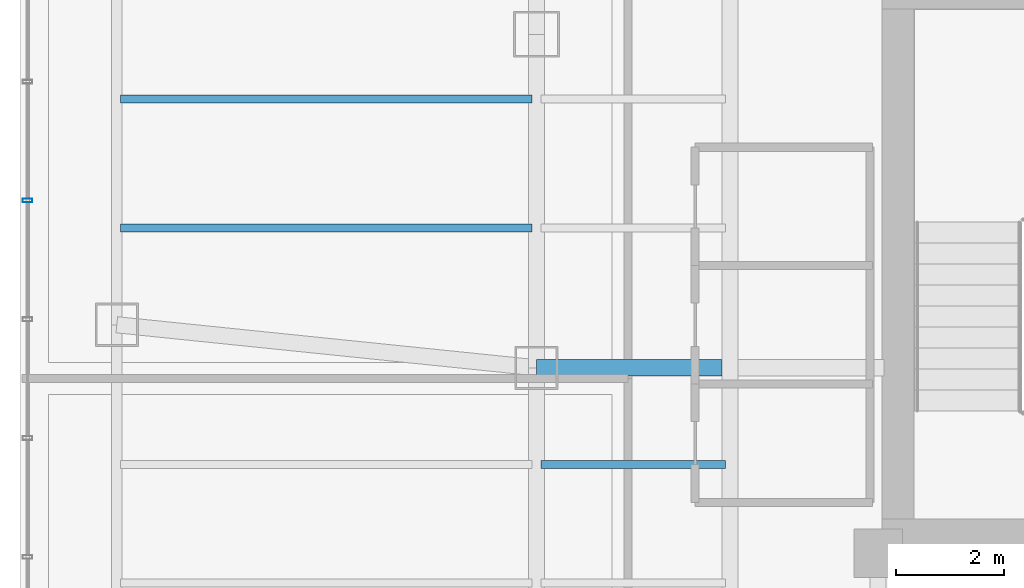
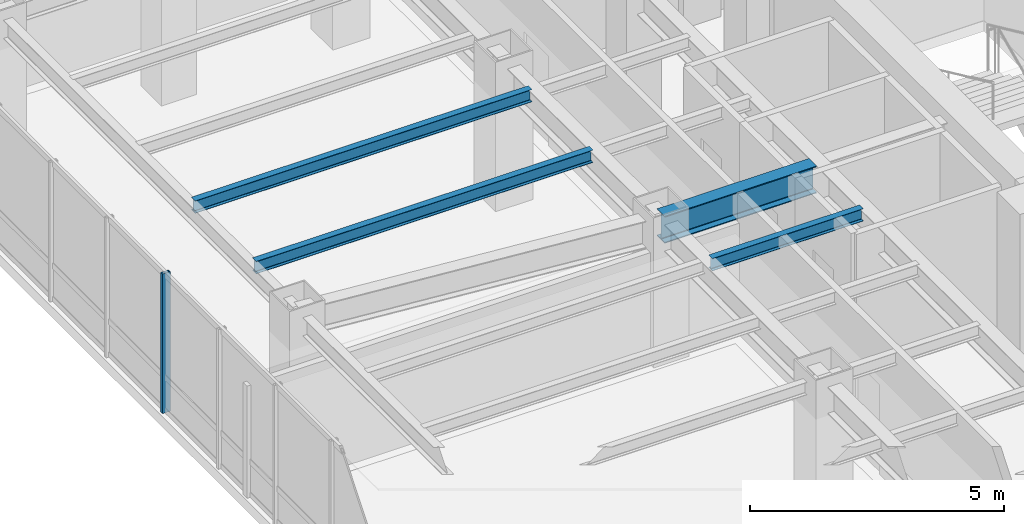
# One storey, part 8 of 27: 4 beams, 1 member, 1 element without a shape of its own.
"""IFC4 building model written with IfcOpenShell, lengths in metres."""

from ifc_helpers import new_model, si_unit, direction, frame, origin, origin_2d, place, context, subcontext, project, spatial, hollow_rectangle, i_section, extrude, material, layer, layer_set, material_profile, profile_set, type_object, element, aggregate, save


model = new_model("IFC4")

# Units and contexts
model_context = context("Model", 3, precision=1e-05, world=origin(), true_north=direction((0.0, 1.0)))
body_context = subcontext(model_context, "Body", "Model", "MODEL_VIEW")
ifc_project = project(units=[si_unit("LENGTHUNIT", "METRE"), si_unit("AREAUNIT", "SQUARE_METRE"), si_unit("VOLUMEUNIT", "CUBIC_METRE"), si_unit("PLANEANGLEUNIT", "RADIAN"), si_unit("MASSUNIT", "GRAM", prefix="KILO")], contexts=[model_context])

# Site, building, storey
site_placement = place(None, origin())
site = spatial("IfcSite", under=ifc_project, at=site_placement, CompositionType="ELEMENT")
building_placement = place(site_placement, origin())
building = spatial("IfcBuilding", under=site, at=building_placement, Name="Hatsunagi Terrace Concourse", CompositionType="ELEMENT")
storey_placement = place(building_placement, frame((0.0, 0.0, 156.449951171875)))
storey = spatial("IfcBuildingStorey", under=building, at=storey_placement, Name="L41", CompositionType="ELEMENT", Elevation=156.449951171875)

# Curtain wall, member
ifc_material_1 = material(Name="Anodised Aluminium Alloy 6063-T5", Category="aluminium")
ifc_layer = layer(ifc_material_1, 0.199951171875)
ifc_layer_set = layer_set([ifc_layer], Name="OfficeZone1_CW03")
curtain_wall_type = type_object("IfcCurtainWallType", Name="OfficeZone1_CW03", PredefinedType="NOTDEFINED", material=ifc_layer_set)
curtain_wall_placement = place(storey_placement, origin())
curtain_wall = element("IfcCurtainWall", 1, at=curtain_wall_placement, inside=storey, type_object=curtain_wall_type, Name="Unitised Curtain Wall CW-03 CW-L41-09", PredefinedType="NOTDEFINED")
ifc_material_2 = material(Name="Anodised Aluminium Alloy 6063-T5", Category="aluminium")
ifc_material_profile_1 = material_profile(ifc_material_2, hollow_rectangle(XDim=0.070068359375, YDim=0.179931640625, WallThickness=0.00390625, at=origin_2d()), Name="ALU-MUL-180x70x4")
ifc_profile_set_1 = profile_set([ifc_material_profile_1], Name="Anodised Aluminium Alloy 6063-T5")
member_type = type_object("IfcMemberType", Name="CurtainWallMullion_180x70", PredefinedType="MULLION", material=ifc_profile_set_1)
member_placement = place(storey_placement, frame((9.739990234375, 39.10791015625, 0.0), z_axis=(0.0, 0.0, 1.0), x_axis=(0.0, 1.0, 0.0)))
member = element("IfcMember", 2, at=member_placement, type_object=member_type, Name="Curtain Wall Mullion MUL-02", PredefinedType="MULLION", context=body_context, shape_type="SweptSolid", body=[
    extrude(hollow_rectangle(XDim=0.070068359375, YDim=0.179931640625, WallThickness=0.00390625, at=origin_2d()), origin(), (0.0, 0.0, 1.0), 3.35009765625),
])
aggregate(curtain_wall, [member])

# Beams
ifc_material_3 = material(Name="Steel SN490B", Category="steel")
ifc_material_profile_2 = material_profile(ifc_material_3, i_section(OverallWidth=0.14990234375, OverallDepth=0.300048828125, WebThickness=0.006591796875, FlangeThickness=0.009033203125, FilletRadius=0.010986328125, at=origin_2d()), Name="H-300x150x6.5x9")
ifc_profile_set_2 = profile_set([ifc_material_profile_2], Name="Steel SN490B")
beam_type_1 = type_object("IfcBeamType", Name="OfficeJoist_H_300x150", PredefinedType="JOIST", material=ifc_profile_set_2)
beam_1_placement = place(storey_placement, frame((19.284912109375, 34.199951171875, 3.199951171875), z_axis=(1.0, 0.0, 0.0), x_axis=(0.0, 1.0, 0.0)))
element("IfcBeam", 3, at=beam_1_placement, inside=storey, type_object=beam_type_1, Name="Beam J-03 J-L41-W-19-342", PredefinedType="JOIST", context=body_context, shape_type="SweptSolid", body=[
    extrude(i_section(OverallWidth=0.14990234375, OverallDepth=0.300048828125, WebThickness=0.006591796875, FlangeThickness=0.009033203125, FilletRadius=0.010986328125, at=origin_2d()), origin(), (0.0, 0.0, 1.0), 3.43017578125),
])
for number, where, z_axis, x_axis, name in (
    (4, (11.465087890625, 38.60009765625, 3.199951171875), (1.0, 0.0, 0.0), (0.0, 1.0, 0.0), "Beam J-03 J-L41-W-11-386"),
    (5, (11.465087890625, 41.0, 3.199951171875), (1.0, 0.0, 0.0), (0.0, 1.0, 0.0), "Beam J-03 J-L41-W-11-410"),
):
    element("IfcBeam", number, at=place(storey_placement, frame(where, z_axis=z_axis, x_axis=x_axis)), inside=storey, type_object=beam_type_1, Name=name, PredefinedType="JOIST", context=body_context, shape_type="SweptSolid", body=[
        extrude(i_section(OverallWidth=0.14990234375, OverallDepth=0.300048828125, WebThickness=0.006591796875, FlangeThickness=0.009033203125, FilletRadius=0.010986328125, at=origin_2d()), origin(), (0.0, 0.0, 1.0), 7.64990234375),
    ])
ifc_material_4 = material(Name="Steel SN490B", Category="steel")
ifc_material_profile_3 = material_profile(ifc_material_4, i_section(OverallWidth=0.300048828125, OverallDepth=0.64990234375, WebThickness=0.012939453125, FlangeThickness=0.02197265625, FilletRadius=0.01806640625, at=origin_2d()), Name="H-650x300x13x22")
ifc_profile_set_3 = profile_set([ifc_material_profile_3], Name="Steel SN490B")
beam_type_2 = type_object("IfcBeamType", Name="OfficeLowGirder_H_650x300", PredefinedType="BEAM", material=ifc_profile_set_3)
beam_2_placement = place(storey_placement, frame((19.199951171875, 36.0, 3.025146484375), z_axis=(1.0, 0.0, 0.0), x_axis=(0.0, 1.0, 0.0)))
element("IfcBeam", 6, at=beam_2_placement, inside=storey, type_object=beam_type_2, Name="Beam G-05 BM-L41-EW-3", PredefinedType="BEAM", context=body_context, shape_type="SweptSolid", body=[
    extrude(i_section(OverallWidth=0.300048828125, OverallDepth=0.64990234375, WebThickness=0.012939453125, FlangeThickness=0.02197265625, FilletRadius=0.01806640625, at=origin_2d()), origin(), (0.0, 0.0, 1.0), 3.449951171875),
])

save(model, "model.ifc")
